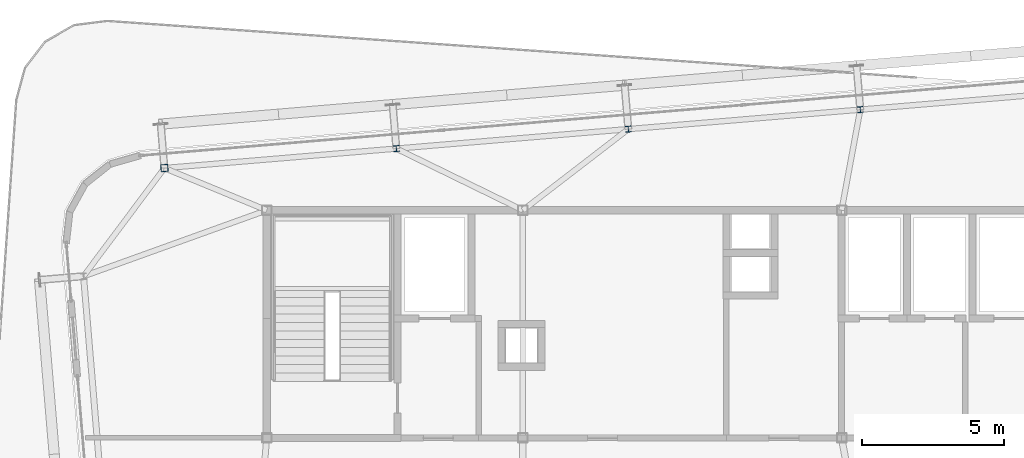
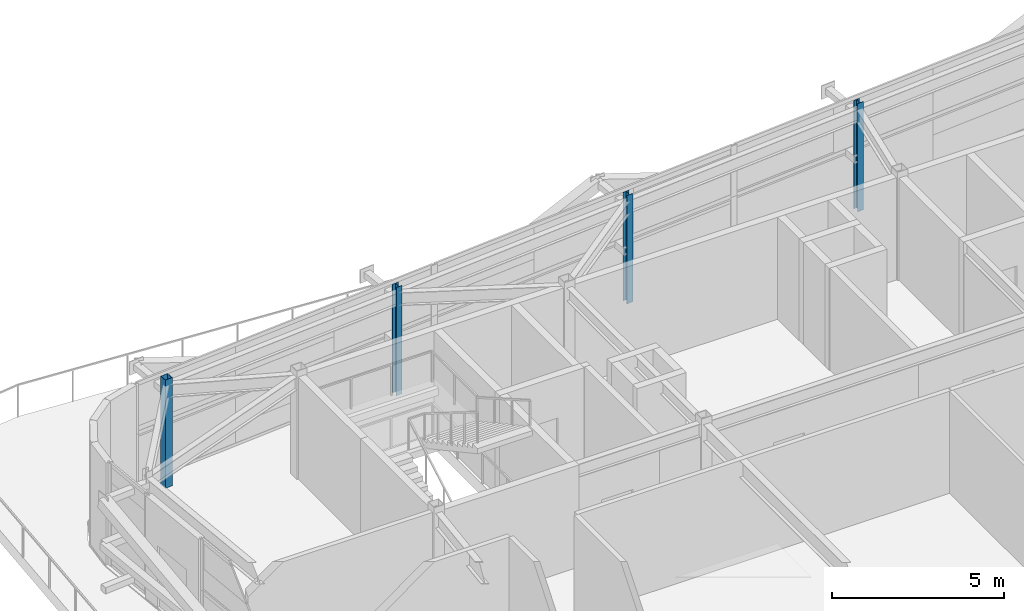
# One storey, part 5 of 38: 4 columns.
"""IFC4 building model written with IfcOpenShell, lengths in metres."""

from ifc_helpers import new_model, si_unit, direction, frame, origin, origin_2d, place, context, subcontext, project, spatial, hollow_rectangle, i_section, extrude, source, transform, mapped, material, material_profile, profile_set, type_object, element, save


model = new_model("IFC4")

# Units and contexts
model_context = context("Model", 3, precision=1e-05, world=origin(), true_north=direction((0.0, 1.0)))
body_context = subcontext(model_context, "Body", "Model", "MODEL_VIEW")
ifc_project = project(units=[si_unit("LENGTHUNIT", "METRE"), si_unit("AREAUNIT", "SQUARE_METRE"), si_unit("VOLUMEUNIT", "CUBIC_METRE"), si_unit("PLANEANGLEUNIT", "RADIAN"), si_unit("MASSUNIT", "GRAM", prefix="KILO")], contexts=[model_context])

# Site, building, storey
site_placement = place(None, origin())
site = spatial("IfcSite", under=ifc_project, at=site_placement, CompositionType="ELEMENT")
building_placement = place(site_placement, origin())
building = spatial("IfcBuilding", under=site, at=building_placement, Name="Taldren Reach Tower", CompositionType="ELEMENT")
storey_placement = place(building_placement, frame((0.0, 0.0, 168.699951171875)))
storey = spatial("IfcBuildingStorey", under=building, at=storey_placement, Name="L51", CompositionType="ELEMENT", Elevation=168.699951171875)

# Columns
ifc_material_1 = material(Name="Steel Gr 350 (C350L0)", Category="steel")
ifc_material_profile_1 = material_profile(ifc_material_1, hollow_rectangle(XDim=0.25, YDim=0.25, WallThickness=0.010009765625, at=origin_2d()), Name="250x250x10.0SHS")
ifc_profile_set_1 = profile_set([ifc_material_profile_1], Name="Steel Gr 350 (C350L0)")
column_type_1 = type_object("IfcColumnType", Name="COL-SHS250", PredefinedType="COLUMN", material=ifc_profile_set_1)
shared_shape_1 = source(origin(), body_context, "Body", "SweptSolid", [
    extrude(hollow_rectangle(XDim=0.25, YDim=0.25, WallThickness=0.010009765625, at=origin_2d()), origin(), (0.0, 0.0, 1.0), 3.85009765625),
])
column_placement = place(storey_placement, frame((15.40380859375, 33.483642578125, 0.0), z_axis=(0.0, 0.0, 1.0), x_axis=(0.99649285925, 0.083677843332, 0.0)))
element("IfcColumn", 1, at=column_placement, inside=storey, type_object=column_type_1, Name="Block B4 perimeter column N1 L51", PredefinedType="COLUMN", context=body_context, shape_type="MappedRepresentation", body=[
    mapped(shared_shape_1, transform((0.0, 0.0, 0.0), scale=1.0)),
])
ifc_material_2 = material(Name="Steel Gr 350 (350PLUS)", Category="steel")
ifc_material_profile_2 = material_profile(ifc_material_2, i_section(OverallWidth=0.205078125, OverallDepth=0.2099609375, WebThickness=0.00927734375, FlangeThickness=0.01416015625, at=origin_2d()), Name="200UC59.5")
ifc_profile_set_2 = profile_set([ifc_material_profile_2], Name="Steel Gr 350 (350PLUS)")
column_type_2 = type_object("IfcColumnType", Name="COL-UC200", PredefinedType="COLUMN", material=ifc_profile_set_2)
shared_shape_2 = source(origin(), body_context, "Body", "SweptSolid", [
    extrude(i_section(OverallWidth=0.205078125, OverallDepth=0.2099609375, WebThickness=0.00927734375, FlangeThickness=0.01416015625, at=origin_2d()), origin(), (0.0, 0.0, 1.0), 3.85009765625),
])
for number, where, z_axis, x_axis, name in (
    (2, (23.55517578125, 34.16796875, 0.0), (0.0, 0.0, 1.0), (0.99649285925, 0.083677843332, 0.0), "Block B4 perimeter column N2 L51"),
    (3, (31.706298828125, 34.8525390625, 0.0), (0.0, 0.0, 1.0), (0.99649285925, 0.083677843332, 0.0), "Block B4 perimeter column N3 L51"),
    (4, (39.857666015625, 35.537109375, 0.0), (0.0, 0.0, 1.0), (0.99649285925, 0.083677843332, 0.0), "Block B4 perimeter column N4 L51"),
):
    element("IfcColumn", number, at=place(storey_placement, frame(where, z_axis=z_axis, x_axis=x_axis)), inside=storey, type_object=column_type_2, Name=name, PredefinedType="COLUMN", context=body_context, shape_type="MappedRepresentation", body=[
        mapped(shared_shape_2, transform((0.0, 0.0, 0.0), scale=1.0)),
    ])

save(model, "model.ifc")
